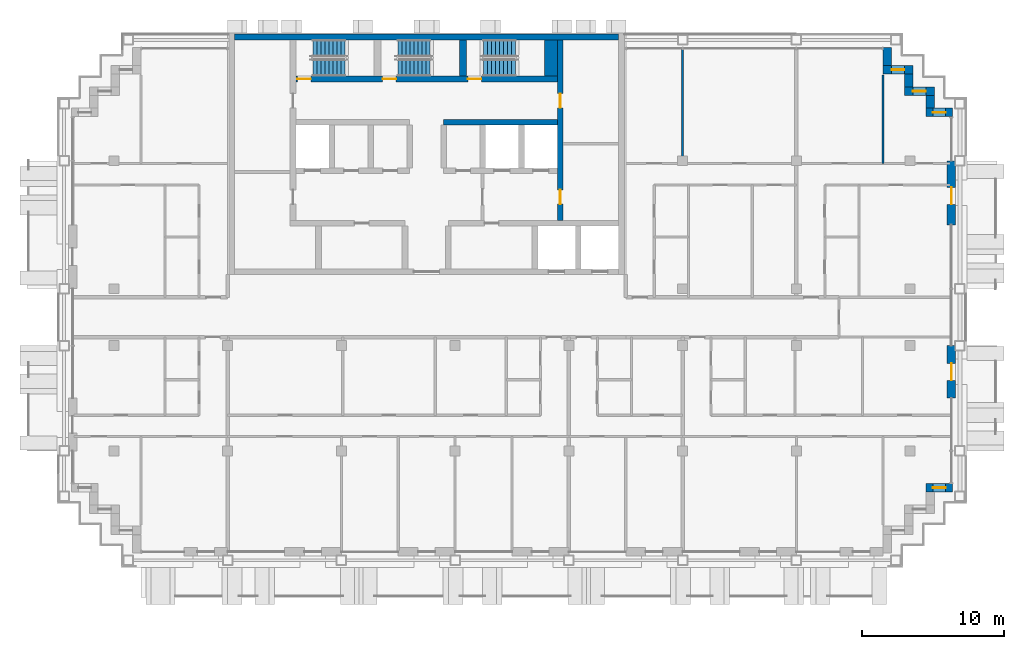
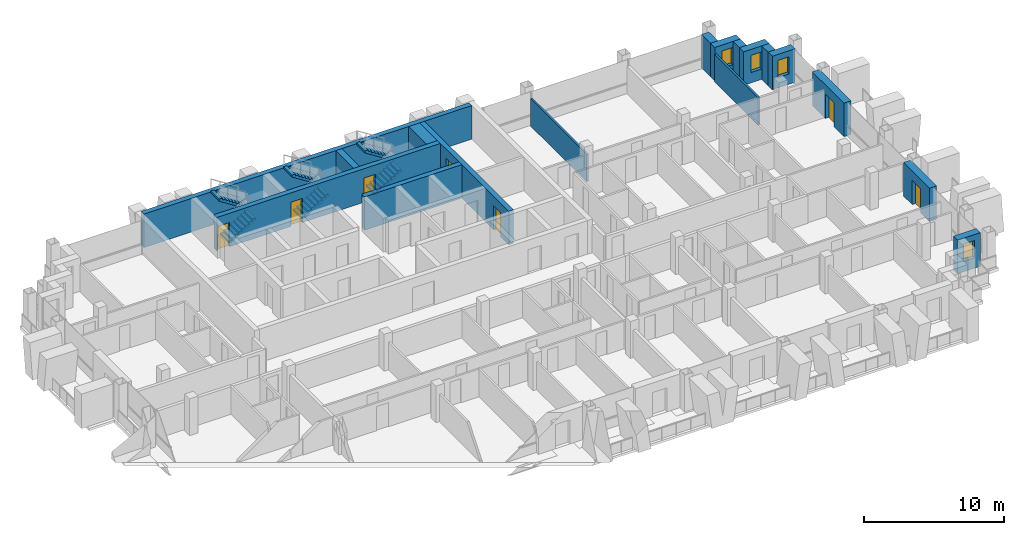
# One storey, part 12 of 16: 17 walls, 7 doors, 6 stair flights, 4 windows, 11 openings, 3 elements without a shape of their own.
"""IFC4 building model written with IfcOpenShell, lengths in metres."""

from ifc_helpers import new_model, si_unit, direction, frame, frame_2d, origin, place, context, subcontext, project, spatial, polyline, rectangle, outline, extrude, material, layer, layer_set, type_object, element, fill, aggregate, save


model = new_model("IFC4")

# Units and contexts
model_context = context("Model", 3, precision=1e-05, world=origin(), true_north=direction((0.0, 1.0)))
body_context = subcontext(model_context, "Body", "Model", "MODEL_VIEW")
ifc_project = project(units=[si_unit("LENGTHUNIT", "METRE"), si_unit("AREAUNIT", "SQUARE_METRE"), si_unit("VOLUMEUNIT", "CUBIC_METRE"), si_unit("PLANEANGLEUNIT", "RADIAN"), si_unit("MASSUNIT", "GRAM", prefix="KILO")], contexts=[model_context])

# Site, building, storey
site_placement = place(None, origin())
site = spatial("IfcSite", under=ifc_project, at=site_placement, CompositionType="ELEMENT")
building_placement = place(site_placement, origin())
building = spatial("IfcBuilding", under=site, at=building_placement, Name="Vidyagriha Tower", CompositionType="ELEMENT")
storey_placement = place(building_placement, frame((0.0, 0.0, 184.5)))
storey = spatial("IfcBuildingStorey", under=building, at=storey_placement, Name="L48", CompositionType="ELEMENT", Elevation=184.5)

# Wall, opening, window
ifc_material_1 = material(Name="Precast concrete C40/50 with brick facing", Category="concrete")
ifc_layer_1 = layer(ifc_material_1, 0.60009765625)
ifc_layer_set_1 = layer_set([ifc_layer_1], Name="Precast concrete C40/50 with brick facing")
wall_type_1 = type_object("IfcWallType", Name="Brick-faced precast wall 600", PredefinedType="STANDARD", material=ifc_layer_set_1)
wall_1_placement = place(storey_placement, frame((36.97998046875, 14.39990234375, 0.0), z_axis=(0.0, 0.0, 1.0), x_axis=(-1.0, 0.0, 0.0)))
wall_1 = element("IfcWall", 1, at=wall_1_placement, inside=storey, type_object=wall_type_1, Name="Stepped corner wall L48 R01", PredefinedType="STANDARD", context=body_context, shape_type="SweptSolid", body=[
    extrude(rectangle(XDim=1.8798828125, YDim=0.60009765625, at=frame_2d((0.93994140625, 0.0))), origin(), (0.0, 0.0, 1.0), 2.919921875),
])
opening_1_placement = place(wall_1_placement, frame((0.489990234375, 0.0, 0.89990234375)))
opening_1 = element("IfcOpeningElement", 2, at=opening_1_placement, cuts=wall_1, Name="Opening WN1", PredefinedType="OPENING", context=body_context, shape_type="SweptSolid", body=[
    extrude(rectangle(XDim=0.89990234375, YDim=1.5, at=frame_2d((0.449951171875, 0.75))), frame((0.0, 0.31005859375, 0.0), z_axis=(0.0, -1.0, 0.0), x_axis=(1.0, 0.0, 0.0)), (0.0, 0.0, 1.0), 0.6201171875),
])
ifc_material_2 = material(Name="Aluminium and glass window", Category="aluminium")
window_type = type_object("IfcWindowType", Name="Reveal window 900x1500", PartitioningType="NOTDEFINED", PredefinedType="WINDOW", material=ifc_material_2)
window_1_placement = place(opening_1_placement, origin())
window_1 = element("IfcWindow", 3, at=window_1_placement, inside=storey, type_object=window_type, Name="Reveal window L48 R01", OverallHeight=1.5, OverallWidth=0.89990234375, PartitioningType="SINGLE_PANEL", PredefinedType="WINDOW", context=body_context, shape_type="SweptSolid", body=[
    extrude(rectangle(XDim=0.89990234375, YDim=1.5, at=frame_2d((0.449951171875, 0.75))), frame((0.0, 0.030029296875, 0.0), z_axis=(0.0, -1.0, 0.0), x_axis=(1.0, 0.0, 0.0)), (0.0, 0.0, 1.0), 0.06005859375),
])
fill(opening_1, window_1)

# Wall
wall_2_placement = place(storey_placement, frame((35.39990234375, 14.699951171875, 0.0), z_axis=(0.0, 0.0, 1.0), x_axis=(0.0, 1.0, 0.0)))
element("IfcWall", 4, at=wall_2_placement, inside=storey, type_object=wall_type_1, Name="Stepped corner wall L48 R02", PredefinedType="STANDARD", context=body_context, shape_type="SweptSolid", body=[
    extrude(rectangle(XDim=0.900146484375, YDim=0.60009765625, at=frame_2d((0.4501953125, 0.0))), origin(), (0.0, 0.0, 1.0), 2.919921875),
])

# Wall, opening, window
wall_3_placement = place(storey_placement, frame((35.699951171875, 15.89990234375, 0.0), z_axis=(0.0, 0.0, 1.0), x_axis=(-1.0, 0.0, 0.0)))
wall_3 = element("IfcWall", 5, at=wall_3_placement, inside=storey, type_object=wall_type_1, Name="Stepped corner wall L48 R03", PredefinedType="STANDARD", context=body_context, shape_type="SweptSolid", body=[
    extrude(rectangle(XDim=2.099853515625, YDim=0.60009765625, at=frame_2d((1.0498046875, 0.0))), origin(), (0.0, 0.0, 1.0), 2.919921875),
])
opening_2_placement = place(wall_3_placement, frame((0.60009765625, 0.0, 0.89990234375)))
opening_2 = element("IfcOpeningElement", 6, at=opening_2_placement, cuts=wall_3, Name="Opening WN1", PredefinedType="OPENING", context=body_context, shape_type="SweptSolid", body=[
    extrude(rectangle(XDim=0.89990234375, YDim=1.5, at=frame_2d((0.449951171875, 0.75))), frame((0.0, 0.31005859375, 0.0), z_axis=(0.0, -1.0, 0.0), x_axis=(1.0, 0.0, 0.0)), (0.0, 0.0, 1.0), 0.6201171875),
])
window_2_placement = place(opening_2_placement, origin())
window_2 = element("IfcWindow", 7, at=window_2_placement, inside=storey, type_object=window_type, Name="Reveal window L48 R03", OverallHeight=1.5, OverallWidth=0.89990234375, PartitioningType="SINGLE_PANEL", PredefinedType="WINDOW", context=body_context, shape_type="SweptSolid", body=[
    extrude(rectangle(XDim=0.89990234375, YDim=1.5, at=frame_2d((0.449951171875, 0.75))), frame((0.0, 0.030029296875, 0.0), z_axis=(0.0, -1.0, 0.0), x_axis=(1.0, 0.0, 0.0)), (0.0, 0.0, 1.0), 0.06005859375),
])
fill(opening_2, window_2)

# Wall
wall_4_placement = place(storey_placement, frame((33.89990234375, 16.199951171875, 0.0), z_axis=(0.0, 0.0, 1.0), x_axis=(0.0, 1.0, 0.0)))
element("IfcWall", 8, at=wall_4_placement, inside=storey, type_object=wall_type_1, Name="Stepped corner wall L48 R04", PredefinedType="STANDARD", context=body_context, shape_type="SweptSolid", body=[
    extrude(rectangle(XDim=0.900146484375, YDim=0.60009765625, at=frame_2d((0.4501953125, 0.0))), origin(), (0.0, 0.0, 1.0), 2.919921875),
])

# Wall, opening, window
wall_5_placement = place(storey_placement, frame((34.199951171875, 17.39990234375, 0.0), z_axis=(0.0, 0.0, 1.0), x_axis=(-1.0, 0.0, 0.0)))
wall_5 = element("IfcWall", 9, at=wall_5_placement, inside=storey, type_object=wall_type_1, Name="Stepped corner wall L48 R05", PredefinedType="STANDARD", context=body_context, shape_type="SweptSolid", body=[
    extrude(rectangle(XDim=2.099853515625, YDim=0.60009765625, at=frame_2d((1.0498046875, 0.0))), origin(), (0.0, 0.0, 1.0), 2.919921875),
])
opening_3_placement = place(wall_5_placement, frame((0.60009765625, 0.0, 0.89990234375)))
opening_3 = element("IfcOpeningElement", 10, at=opening_3_placement, cuts=wall_5, Name="Opening WN1", PredefinedType="OPENING", context=body_context, shape_type="SweptSolid", body=[
    extrude(rectangle(XDim=0.89990234375, YDim=1.5, at=frame_2d((0.449951171875, 0.75))), frame((0.0, 0.31005859375, 0.0), z_axis=(0.0, -1.0, 0.0), x_axis=(1.0, 0.0, 0.0)), (0.0, 0.0, 1.0), 0.6201171875),
])
window_3_placement = place(opening_3_placement, origin())
window_3 = element("IfcWindow", 11, at=window_3_placement, inside=storey, type_object=window_type, Name="Reveal window L48 R05", OverallHeight=1.5, OverallWidth=0.89990234375, PartitioningType="SINGLE_PANEL", PredefinedType="WINDOW", context=body_context, shape_type="SweptSolid", body=[
    extrude(rectangle(XDim=0.89990234375, YDim=1.5, at=frame_2d((0.449951171875, 0.75))), frame((0.0, 0.030029296875, 0.0), z_axis=(0.0, -1.0, 0.0), x_axis=(1.0, 0.0, 0.0)), (0.0, 0.0, 1.0), 0.06005859375),
])
fill(opening_3, window_3)

# Wall
wall_6_placement = place(storey_placement, frame((32.39990234375, 17.699951171875, 0.0), z_axis=(0.0, 0.0, 1.0), x_axis=(0.0, 1.0, 0.0)))
element("IfcWall", 12, at=wall_6_placement, inside=storey, type_object=wall_type_1, Name="Stepped corner wall L48 R06", PredefinedType="STANDARD", context=body_context, shape_type="SweptSolid", body=[
    extrude(rectangle(XDim=1.280029296875, YDim=0.60009765625, at=frame_2d((0.64013671875, 0.0))), origin(), (0.0, 0.0, 1.0), 2.919921875),
])

# Wall, opening, window
wall_7_placement = place(storey_placement, frame((35.10009765625, -12.0, 0.0)))
wall_7 = element("IfcWall", 13, at=wall_7_placement, inside=storey, type_object=wall_type_1, Name="Stepped corner wall L48 R29", PredefinedType="STANDARD", context=body_context, shape_type="SweptSolid", body=[
    extrude(rectangle(XDim=1.8798828125, YDim=0.60009765625, at=frame_2d((0.93994140625, 0.0))), origin(), (0.0, 0.0, 1.0), 2.919921875),
])
opening_4_placement = place(wall_7_placement, frame((0.489990234375, 0.0, 0.89990234375)))
opening_4 = element("IfcOpeningElement", 14, at=opening_4_placement, cuts=wall_7, Name="Opening WN1", PredefinedType="OPENING", context=body_context, shape_type="SweptSolid", body=[
    extrude(rectangle(XDim=0.89990234375, YDim=1.5, at=frame_2d((0.449951171875, 0.75))), frame((0.0, 0.31005859375, 0.0), z_axis=(0.0, -1.0, 0.0), x_axis=(1.0, 0.0, 0.0)), (0.0, 0.0, 1.0), 0.6201171875),
])
window_4_placement = place(opening_4_placement, origin())
window_4 = element("IfcWindow", 15, at=window_4_placement, inside=storey, type_object=window_type, Name="Reveal window L48 R29", OverallHeight=1.5, OverallWidth=0.89990234375, PartitioningType="SINGLE_PANEL", PredefinedType="WINDOW", context=body_context, shape_type="SweptSolid", body=[
    extrude(rectangle(XDim=0.89990234375, YDim=1.5, at=frame_2d((0.449951171875, 0.75))), frame((0.0, 0.030029296875, 0.0), z_axis=(0.0, -1.0, 0.0), x_axis=(1.0, 0.0, 0.0)), (0.0, 0.0, 1.0), 0.06005859375),
])
fill(opening_4, window_4)

# Wall, opening, door
wall_8_placement = place(storey_placement, frame((36.89990234375, -5.699951171875, 0.0), z_axis=(0.0, 0.0, 1.0), x_axis=(0.0, 1.0, 0.0)))
wall_8 = element("IfcWall", 16, at=wall_8_placement, inside=storey, type_object=wall_type_1, Name="Brick door bay wall L48 R30.3", PredefinedType="STANDARD", context=body_context, shape_type="SweptSolid", body=[
    extrude(rectangle(XDim=3.699951171875, YDim=0.60009765625, at=frame_2d((1.85009765625, 0.0))), origin(), (0.0, 0.0, 1.0), 2.919921875),
])
opening_5_placement = place(wall_8_placement, frame((1.25, 0.0, 0.0)))
opening_5 = element("IfcOpeningElement", 17, at=opening_5_placement, cuts=wall_8, Name="Opening D48-76", PredefinedType="OPENING", context=body_context, shape_type="SweptSolid", body=[
    extrude(rectangle(XDim=1.199951171875, YDim=2.10009765625, at=frame_2d((0.60009765625, 1.050048828125))), frame((0.0, 0.31005859375, 0.0), z_axis=(0.0, -1.0, 0.0), x_axis=(1.0, 0.0, 0.0)), (0.0, 0.0, 1.0), 0.6201171875),
])
ifc_material_3 = material(Name="Aluminium framed glazed sliding door", Category="aluminium")
door_type_1 = type_object("IfcDoorType", Name="Balcony sliding door 1200x2100", OperationType="NOTDEFINED", PredefinedType="DOOR", material=ifc_material_3)
door_1_placement = place(opening_5_placement, origin())
door_1 = element("IfcDoor", 18, at=door_1_placement, inside=storey, type_object=door_type_1, Name="Door D48-76", OperationType="SLIDING_TO_LEFT", OverallHeight=2.10009765625, OverallWidth=1.199951171875, PredefinedType="DOOR", context=body_context, shape_type="SweptSolid", body=[
    extrude(rectangle(XDim=1.199951171875, YDim=2.10009765625, at=frame_2d((0.60009765625, 1.050048828125))), frame((0.0, 0.02490234375, 0.0), z_axis=(0.0, -1.0, 0.0), x_axis=(1.0, 0.0, 0.0)), (0.0, 0.0, 1.0), 0.050048828125),
])
fill(opening_5, door_1)

wall_9_placement = place(storey_placement, frame((36.89990234375, 6.5, 0.0), z_axis=(0.0, 0.0, 1.0), x_axis=(0.0, 1.0, 0.0)))
wall_9 = element("IfcWall", 19, at=wall_9_placement, inside=storey, type_object=wall_type_1, Name="Brick door bay wall L48 R30.6", PredefinedType="STANDARD", context=body_context, shape_type="SweptSolid", body=[
    extrude(rectangle(XDim=4.5, YDim=0.60009765625, at=frame_2d((2.25, 0.0))), origin(), (0.0, 0.0, 1.0), 2.919921875),
])
opening_6_placement = place(wall_9_placement, frame((1.425048828125, 0.0, 0.0)))
opening_6 = element("IfcOpeningElement", 20, at=opening_6_placement, cuts=wall_9, Name="Opening D48-77", PredefinedType="OPENING", context=body_context, shape_type="SweptSolid", body=[
    extrude(rectangle(XDim=1.199951171875, YDim=2.10009765625, at=frame_2d((0.60009765625, 1.050048828125))), frame((0.0, 0.31005859375, 0.0), z_axis=(0.0, -1.0, 0.0), x_axis=(1.0, 0.0, 0.0)), (0.0, 0.0, 1.0), 0.6201171875),
])
door_2_placement = place(opening_6_placement, origin())
door_2 = element("IfcDoor", 21, at=door_2_placement, inside=storey, type_object=door_type_1, Name="Door D48-77", OperationType="SLIDING_TO_LEFT", OverallHeight=2.10009765625, OverallWidth=1.199951171875, PredefinedType="DOOR", context=body_context, shape_type="SweptSolid", body=[
    extrude(rectangle(XDim=1.199951171875, YDim=2.10009765625, at=frame_2d((0.60009765625, 1.050048828125))), frame((0.0, 0.02490234375, 0.0), z_axis=(0.0, -1.0, 0.0), x_axis=(1.0, 0.0, 0.0)), (0.0, 0.0, 1.0), 0.050048828125),
])
fill(opening_6, door_2)

# Wall
ifc_material_4 = material(Name="Concrete C60/75", Category="concrete")
ifc_layer_2 = layer(ifc_material_4, 0.39990234375)
ifc_layer_set_2 = layer_set([ifc_layer_2], Name="Concrete C60/75")
wall_type_2 = type_object("IfcWallType", Name="Core shear wall 400 mm", PredefinedType="SHEAR", material=ifc_layer_set_2)
wall_10_placement = place(storey_placement, frame((-13.5, 19.699951171875, 0.0)))
element("IfcWall", 22, at=wall_10_placement, inside=storey, type_object=wall_type_2, Name="Core north wall", PredefinedType="SHEAR", context=body_context, shape_type="SweptSolid", body=[
    extrude(rectangle(XDim=27.0, YDim=0.39990234375, at=frame_2d((13.5, 0.0))), origin(), (0.0, 0.0, 1.0), 2.919921875),
])

# Wall, openings, doors
wall_11_placement = place(storey_placement, frame((9.39990234375, 6.800048828125, 0.0), z_axis=(0.0, 0.0, 1.0), x_axis=(0.0, 1.0, 0.0)))
wall_11 = element("IfcWall", 23, at=wall_11_placement, inside=storey, type_object=wall_type_2, Name="Core east spine wall", PredefinedType="SHEAR", context=body_context, shape_type="SweptSolid", body=[
    extrude(rectangle(XDim=12.699951171875, YDim=0.39990234375, at=frame_2d((6.35009765625, 0.0))), origin(), (0.0, 0.0, 1.0), 2.919921875),
])
opening_7_placement = place(wall_11_placement, frame((1.14990234375, 0.0, 0.0)))
opening_7 = element("IfcOpeningElement", 24, at=opening_7_placement, cuts=wall_11, Name="Opening D48-13", PredefinedType="OPENING", context=body_context, shape_type="SweptSolid", body=[
    extrude(rectangle(XDim=1.0, YDim=2.10009765625, at=frame_2d((0.5, 1.050048828125))), frame((0.0, 0.2099609375, 0.0), z_axis=(0.0, -1.0, 0.0), x_axis=(1.0, 0.0, 0.0)), (0.0, 0.0, 1.0), 0.419921875),
])
opening_8_placement = place(wall_11_placement, frame((7.925048828125, 0.0, 0.0)))
opening_8 = element("IfcOpeningElement", 25, at=opening_8_placement, cuts=wall_11, Name="Opening D48-14", PredefinedType="OPENING", context=body_context, shape_type="SweptSolid", body=[
    extrude(rectangle(XDim=1.0, YDim=2.10009765625, at=frame_2d((0.5, 1.050048828125))), frame((0.0, 0.2099609375, 0.0), z_axis=(0.0, -1.0, 0.0), x_axis=(1.0, 0.0, 0.0)), (0.0, 0.0, 1.0), 0.419921875),
])
ifc_material_5 = material(Name="Hollow metal door leaf")
door_type_2 = type_object("IfcDoorType", Name="Core room door 1000 x 2100 mm EI 60", OperationType="NOTDEFINED", PredefinedType="DOOR", material=ifc_material_5)
door_3_placement = place(opening_7_placement, origin())
door_3 = element("IfcDoor", 26, at=door_3_placement, inside=storey, type_object=door_type_2, Name="Door Switchgear Room 48.E1", OperationType="SINGLE_SWING_RIGHT", OverallHeight=2.10009765625, OverallWidth=1.0, PredefinedType="DOOR", context=body_context, shape_type="SweptSolid", body=[
    extrude(rectangle(XDim=1.0, YDim=2.10009765625, at=frame_2d((0.5, 1.050048828125))), frame((0.0, 0.02490234375, 0.0), z_axis=(0.0, -1.0, 0.0), x_axis=(1.0, 0.0, 0.0)), (0.0, 0.0, 1.0), 0.050048828125),
])
fill(opening_7, door_3)
door_4_placement = place(opening_8_placement, origin())
door_4 = element("IfcDoor", 27, at=door_4_placement, inside=storey, type_object=door_type_2, Name="Door Communications Room 48.E2", OperationType="SINGLE_SWING_LEFT", OverallHeight=2.10009765625, OverallWidth=1.0, PredefinedType="DOOR", context=body_context, shape_type="SweptSolid", body=[
    extrude(rectangle(XDim=1.0, YDim=2.10009765625, at=frame_2d((0.5, 1.050048828125))), frame((0.0, 0.02490234375, 0.0), z_axis=(0.0, -1.0, 0.0), x_axis=(1.0, 0.0, 0.0)), (0.0, 0.0, 1.0), 0.050048828125),
])
fill(opening_8, door_4)

# Wall
wall_12_placement = place(storey_placement, frame((1.199951171875, 13.699951171875, 0.0)))
element("IfcWall", 28, at=wall_12_placement, inside=storey, type_object=wall_type_2, Name="Core row N rear wall", PredefinedType="SHEAR", context=body_context, shape_type="SweptSolid", body=[
    extrude(rectangle(XDim=8.0, YDim=0.39990234375, at=frame_2d((4.0, 0.0))), origin(), (0.0, 0.0, 1.0), 2.919921875),
])

# Wall, openings, doors
wall_13_placement = place(storey_placement, frame((-9.199951171875, 16.75, 0.0)))
wall_13 = element("IfcWall", 29, at=wall_13_placement, inside=storey, type_object=wall_type_2, Name="Stair front wall", PredefinedType="SHEAR", context=body_context, shape_type="SweptSolid", body=[
    extrude(rectangle(XDim=18.39990234375, YDim=0.39990234375, at=frame_2d((9.199951171875, 0.0))), origin(), (0.0, 0.0, 1.0), 2.919921875),
])
opening_9_placement = place(wall_13_placement, frame((0.10009765625, 0.0, 0.0)))
opening_9 = element("IfcOpeningElement", 30, at=opening_9_placement, cuts=wall_13, Name="Opening D48-08", PredefinedType="OPENING", context=body_context, shape_type="SweptSolid", body=[
    extrude(rectangle(XDim=0.949951171875, YDim=2.10009765625, at=frame_2d((0.47509765625, 1.050048828125))), frame((0.0, 0.2099609375, 0.0), z_axis=(0.0, -1.0, 0.0), x_axis=(1.0, 0.0, 0.0)), (0.0, 0.0, 1.0), 0.419921875),
])
opening_10_placement = place(wall_13_placement, frame((6.10009765625, 0.0, 0.0)))
opening_10 = element("IfcOpeningElement", 31, at=opening_10_placement, cuts=wall_13, Name="Opening D48-09", PredefinedType="OPENING", context=body_context, shape_type="SweptSolid", body=[
    extrude(rectangle(XDim=0.949951171875, YDim=2.10009765625, at=frame_2d((0.47509765625, 1.050048828125))), frame((0.0, 0.2099609375, 0.0), z_axis=(0.0, -1.0, 0.0), x_axis=(1.0, 0.0, 0.0)), (0.0, 0.0, 1.0), 0.419921875),
])
opening_11_placement = place(wall_13_placement, frame((12.10009765625, 0.0, 0.0)))
opening_11 = element("IfcOpeningElement", 32, at=opening_11_placement, cuts=wall_13, Name="Opening D48-10", PredefinedType="OPENING", context=body_context, shape_type="SweptSolid", body=[
    extrude(rectangle(XDim=0.949951171875, YDim=2.10009765625, at=frame_2d((0.47509765625, 1.050048828125))), frame((0.0, 0.2099609375, 0.0), z_axis=(0.0, -1.0, 0.0), x_axis=(1.0, 0.0, 0.0)), (0.0, 0.0, 1.0), 0.419921875),
])
ifc_material_6 = material(Name="Hollow metal door leaf")
door_type_3 = type_object("IfcDoorType", Name="Exit stair door 950 x 2100 mm EI 90", OperationType="NOTDEFINED", PredefinedType="DOOR", material=ifc_material_6)
door_5_placement = place(opening_9_placement, origin())
door_5 = element("IfcDoor", 33, at=door_5_placement, inside=storey, type_object=door_type_3, Name="Stair door ST1 L48", OperationType="SINGLE_SWING_LEFT", OverallHeight=2.10009765625, OverallWidth=0.949951171875, PredefinedType="DOOR", context=body_context, shape_type="SweptSolid", body=[
    extrude(rectangle(XDim=0.949951171875, YDim=2.10009765625, at=frame_2d((0.47509765625, 1.050048828125))), frame((0.0, 0.02490234375, 0.0), z_axis=(0.0, -1.0, 0.0), x_axis=(1.0, 0.0, 0.0)), (0.0, 0.0, 1.0), 0.050048828125),
])
fill(opening_9, door_5)
door_6_placement = place(opening_10_placement, origin())
door_6 = element("IfcDoor", 34, at=door_6_placement, inside=storey, type_object=door_type_3, Name="Stair door ST2 L48", OperationType="SINGLE_SWING_LEFT", OverallHeight=2.10009765625, OverallWidth=0.949951171875, PredefinedType="DOOR", context=body_context, shape_type="SweptSolid", body=[
    extrude(rectangle(XDim=0.949951171875, YDim=2.10009765625, at=frame_2d((0.47509765625, 1.050048828125))), frame((0.0, 0.02490234375, 0.0), z_axis=(0.0, -1.0, 0.0), x_axis=(1.0, 0.0, 0.0)), (0.0, 0.0, 1.0), 0.050048828125),
])
fill(opening_10, door_6)
door_7_placement = place(opening_11_placement, origin())
door_7 = element("IfcDoor", 35, at=door_7_placement, inside=storey, type_object=door_type_3, Name="Stair door ST3 L48", OperationType="SINGLE_SWING_LEFT", OverallHeight=2.10009765625, OverallWidth=0.949951171875, PredefinedType="DOOR", context=body_context, shape_type="SweptSolid", body=[
    extrude(rectangle(XDim=0.949951171875, YDim=2.10009765625, at=frame_2d((0.47509765625, 1.050048828125))), frame((0.0, 0.02490234375, 0.0), z_axis=(0.0, -1.0, 0.0), x_axis=(1.0, 0.0, 0.0)), (0.0, 0.0, 1.0), 0.050048828125),
])
fill(opening_11, door_7)

# Walls
ifc_material_7 = material(Name="Concrete C60/75", Category="concrete")
ifc_layer_3 = layer(ifc_material_7, 0.5)
ifc_layer_set_3 = layer_set([ifc_layer_3], Name="Concrete C60/75")
wall_type_3 = type_object("IfcWallType", Name="Core shear wall 500 mm", PredefinedType="SHEAR", material=ifc_layer_set_3)
wall_14_placement = place(storey_placement, frame((2.550048828125, 16.949951171875, 0.0), z_axis=(0.0, 0.0, 1.0), x_axis=(0.0, 1.0, 0.0)))
element("IfcWall", 36, at=wall_14_placement, inside=storey, type_object=wall_type_3, Name="Stair partition wall 2", PredefinedType="SHEAR", context=body_context, shape_type="SweptSolid", body=[
    extrude(rectangle(XDim=2.550048828125, YDim=0.5, at=frame_2d((1.27490234375, 0.0))), origin(), (0.0, 0.0, 1.0), 2.919921875),
])
ifc_material_8 = material(Name="Concrete C60/75", Category="concrete")
ifc_layer_4 = layer(ifc_material_8, 0.89990234375)
ifc_layer_set_4 = layer_set([ifc_layer_4], Name="Concrete C60/75")
wall_type_4 = type_object("IfcWallType", Name="Core shear wall 900 mm", PredefinedType="SHEAR", material=ifc_layer_set_4)
wall_15_placement = place(storey_placement, frame((8.75, 16.949951171875, 0.0), z_axis=(0.0, 0.0, 1.0), x_axis=(0.0, 1.0, 0.0)))
element("IfcWall", 37, at=wall_15_placement, inside=storey, type_object=wall_type_4, Name="Stair end wall", PredefinedType="SHEAR", context=body_context, shape_type="SweptSolid", body=[
    extrude(rectangle(XDim=2.550048828125, YDim=0.89990234375, at=frame_2d((1.27490234375, 0.0))), origin(), (0.0, 0.0, 1.0), 2.919921875),
])
ifc_material_9 = material(Name="Gypsum board partition")
ifc_layer_5 = layer(ifc_material_9, 0.14990234375)
ifc_layer_set_5 = layer_set([ifc_layer_5], Name="Gypsum board partition")
wall_type_5 = type_object("IfcWallType", Name="Gypsum board partition 150", PredefinedType="PARTITIONING", material=ifc_layer_set_5)
wall_16_placement = place(storey_placement, frame((18.0, 18.821044921875, 0.0), z_axis=(0.0, 0.0, 1.0), x_axis=(0.0, -1.0, 0.0)))
element("IfcWall", 38, at=wall_16_placement, inside=storey, type_object=wall_type_5, Name="Wall all-L48-w096", PredefinedType="PARTITIONING", context=body_context, shape_type="SweptSolid", body=[
    extrude(rectangle(XDim=8.02099609375, YDim=0.14990234375, at=frame_2d((4.010498046875, 0.0))), origin(), (0.0, 0.0, 1.0), 2.39990234375),
])
wall_17_placement = place(storey_placement, frame((32.10009765625, 17.02001953125, 0.0), z_axis=(0.0, 0.0, 1.0), x_axis=(0.0, -1.0, 0.0)))
element("IfcWall", 39, at=wall_17_placement, inside=storey, type_object=wall_type_5, Name="Wall all-L48-w108", PredefinedType="PARTITIONING", context=body_context, shape_type="SweptSolid", body=[
    extrude(rectangle(XDim=6.219970703125, YDim=0.14990234375, at=frame_2d((3.10986328125, 0.0))), origin(), (0.0, 0.0, 1.0), 2.39990234375),
])

# Stair, stair flights
ifc_material_10 = material(Name="Concrete C40/50", Category="concrete")
stair_type = type_object("IfcStairType", Name="Exit stair, half-turn, precast flights", PredefinedType="HALF_TURN_STAIR", material=ifc_material_10)
stair_1_placement = place(storey_placement, origin())
stair_1 = element("IfcStair", 40, at=stair_1_placement, inside=storey, type_object=stair_type, Name="L48 Exit Stair ST1", PredefinedType="HALF_TURN_STAIR")
ifc_material_11 = material(Name="Precast concrete C40/50", Category="concrete")
stair_flight_type = type_object("IfcStairFlightType", Name="Exit stair flight 1200 mm, precast", PredefinedType="STRAIGHT", material=ifc_material_11)
stair_flight_1_placement = place(storey_placement, frame((-8.0, 17.550048828125, 0.0)))
stair_flight_1 = element("IfcStairFlight", 41, at=stair_flight_1_placement, type_object=stair_flight_type, Name="ST1 flight 1", NumberOfRisers=9, NumberOfTreads=8, PredefinedType="STRAIGHT", RiserHeight=0.177777778, TreadLength=0.28, context=body_context, shape_type="SweptSolid", body=[
    extrude(outline(polyline([(0.0, 0.0), (0.0, 0.177734375), (0.280029296875, 0.177734375), (0.280029296875, 0.35546875), (0.56005859375, 0.35546875), (0.56005859375, 0.533447265625), (0.840087890625, 0.533447265625), (0.840087890625, 0.711181640625), (1.1201171875, 0.711181640625), (1.1201171875, 0.888916015625), (1.39990234375, 0.888916015625), (1.39990234375, 1.066650390625), (1.679931640625, 1.066650390625), (1.679931640625, 1.244384765625), (1.9599609375, 1.244384765625), (1.9599609375, 1.422119140625), (2.239990234375, 1.422119140625), (2.239990234375, 1.60009765625), (2.239990234375, 1.24462890625), (0.27978515625, 0.0), (0.0, 0.0)])), frame((0.0, 0.60009765625, 0.0), z_axis=(0.0, -1.0, 0.0), x_axis=(1.0, 0.0, 0.0)), (0.0, 0.0, 1.0), 1.199951171875),
])
stair_flight_2_placement = place(storey_placement, frame((-5.760009765625, 18.89990234375, 1.60009765625), z_axis=(0.0, 0.0, 1.0), x_axis=(-1.0, 0.0, 0.0)))
stair_flight_2 = element("IfcStairFlight", 42, at=stair_flight_2_placement, type_object=stair_flight_type, Name="ST1 flight 2", NumberOfRisers=9, NumberOfTreads=8, PredefinedType="STRAIGHT", RiserHeight=0.177777778, TreadLength=0.28, context=body_context, shape_type="SweptSolid", body=[
    extrude(outline(polyline([(0.0, 0.0), (0.0, 0.177734375), (0.280029296875, 0.177734375), (0.280029296875, 0.35546875), (0.56005859375, 0.35546875), (0.56005859375, 0.533447265625), (0.840087890625, 0.533447265625), (0.840087890625, 0.711181640625), (1.1201171875, 0.711181640625), (1.1201171875, 0.888916015625), (1.39990234375, 0.888916015625), (1.39990234375, 1.066650390625), (1.679931640625, 1.066650390625), (1.679931640625, 1.244384765625), (1.9599609375, 1.244384765625), (1.9599609375, 1.422119140625), (2.239990234375, 1.422119140625), (2.239990234375, 1.60009765625), (2.239990234375, 1.24462890625), (0.27978515625, 0.0), (0.0, 0.0)])), frame((0.0, 0.60009765625, 0.0), z_axis=(0.0, -1.0, 0.0), x_axis=(1.0, 0.0, 0.0)), (0.0, 0.0, 1.0), 1.199951171875),
])
aggregate(stair_1, [stair_flight_1, stair_flight_2])

stair_2_placement = place(storey_placement, origin())
stair_2 = element("IfcStair", 43, at=stair_2_placement, inside=storey, type_object=stair_type, Name="L48 Exit Stair ST2", PredefinedType="HALF_TURN_STAIR")
stair_flight_3_placement = place(storey_placement, frame((-2.0, 17.550048828125, 0.0)))
stair_flight_3 = element("IfcStairFlight", 44, at=stair_flight_3_placement, type_object=stair_flight_type, Name="ST2 flight 1", NumberOfRisers=9, NumberOfTreads=8, PredefinedType="STRAIGHT", RiserHeight=0.177777778, TreadLength=0.28, context=body_context, shape_type="SweptSolid", body=[
    extrude(outline(polyline([(0.0, 0.0), (0.0, 0.177734375), (0.280029296875, 0.177734375), (0.280029296875, 0.35546875), (0.56005859375, 0.35546875), (0.56005859375, 0.533447265625), (0.840087890625, 0.533447265625), (0.840087890625, 0.711181640625), (1.1201171875, 0.711181640625), (1.1201171875, 0.888916015625), (1.39990234375, 0.888916015625), (1.39990234375, 1.066650390625), (1.679931640625, 1.066650390625), (1.679931640625, 1.244384765625), (1.9599609375, 1.244384765625), (1.9599609375, 1.422119140625), (2.239990234375, 1.422119140625), (2.239990234375, 1.60009765625), (2.239990234375, 1.24462890625), (0.27978515625, 0.0), (0.0, 0.0)])), frame((0.0, 0.60009765625, 0.0), z_axis=(0.0, -1.0, 0.0), x_axis=(1.0, 0.0, 0.0)), (0.0, 0.0, 1.0), 1.199951171875),
])
stair_flight_4_placement = place(storey_placement, frame((0.239990234375, 18.89990234375, 1.60009765625), z_axis=(0.0, 0.0, 1.0), x_axis=(-1.0, 0.0, 0.0)))
stair_flight_4 = element("IfcStairFlight", 45, at=stair_flight_4_placement, type_object=stair_flight_type, Name="ST2 flight 2", NumberOfRisers=9, NumberOfTreads=8, PredefinedType="STRAIGHT", RiserHeight=0.177777778, TreadLength=0.28, context=body_context, shape_type="SweptSolid", body=[
    extrude(outline(polyline([(0.0, 0.0), (0.0, 0.177734375), (0.280029296875, 0.177734375), (0.280029296875, 0.35546875), (0.56005859375, 0.35546875), (0.56005859375, 0.533447265625), (0.840087890625, 0.533447265625), (0.840087890625, 0.711181640625), (1.1201171875, 0.711181640625), (1.1201171875, 0.888916015625), (1.39990234375, 0.888916015625), (1.39990234375, 1.066650390625), (1.679931640625, 1.066650390625), (1.679931640625, 1.244384765625), (1.9599609375, 1.244384765625), (1.9599609375, 1.422119140625), (2.239990234375, 1.422119140625), (2.239990234375, 1.60009765625), (2.239990234375, 1.24462890625), (0.27978515625, 0.0), (0.0, 0.0)])), frame((0.0, 0.60009765625, 0.0), z_axis=(0.0, -1.0, 0.0), x_axis=(1.0, 0.0, 0.0)), (0.0, 0.0, 1.0), 1.199951171875),
])
aggregate(stair_2, [stair_flight_3, stair_flight_4])

stair_3_placement = place(storey_placement, origin())
stair_3 = element("IfcStair", 46, at=stair_3_placement, inside=storey, type_object=stair_type, Name="L48 Exit Stair ST3", PredefinedType="HALF_TURN_STAIR")
stair_flight_5_placement = place(storey_placement, frame((4.0, 17.550048828125, 0.0)))
stair_flight_5 = element("IfcStairFlight", 47, at=stair_flight_5_placement, type_object=stair_flight_type, Name="ST3 flight 1", NumberOfRisers=9, NumberOfTreads=8, PredefinedType="STRAIGHT", RiserHeight=0.177777778, TreadLength=0.28, context=body_context, shape_type="SweptSolid", body=[
    extrude(outline(polyline([(0.0, 0.0), (0.0, 0.177734375), (0.280029296875, 0.177734375), (0.280029296875, 0.35546875), (0.56005859375, 0.35546875), (0.56005859375, 0.533447265625), (0.840087890625, 0.533447265625), (0.840087890625, 0.711181640625), (1.1201171875, 0.711181640625), (1.1201171875, 0.888916015625), (1.39990234375, 0.888916015625), (1.39990234375, 1.066650390625), (1.679931640625, 1.066650390625), (1.679931640625, 1.244384765625), (1.9599609375, 1.244384765625), (1.9599609375, 1.422119140625), (2.239990234375, 1.422119140625), (2.239990234375, 1.60009765625), (2.239990234375, 1.24462890625), (0.27978515625, 0.0), (0.0, 0.0)])), frame((0.0, 0.60009765625, 0.0), z_axis=(0.0, -1.0, 0.0), x_axis=(1.0, 0.0, 0.0)), (0.0, 0.0, 1.0), 1.199951171875),
])
stair_flight_6_placement = place(storey_placement, frame((6.239990234375, 18.89990234375, 1.60009765625), z_axis=(0.0, 0.0, 1.0), x_axis=(-1.0, 0.0, 0.0)))
stair_flight_6 = element("IfcStairFlight", 48, at=stair_flight_6_placement, type_object=stair_flight_type, Name="ST3 flight 2", NumberOfRisers=9, NumberOfTreads=8, PredefinedType="STRAIGHT", RiserHeight=0.177777778, TreadLength=0.28, context=body_context, shape_type="SweptSolid", body=[
    extrude(outline(polyline([(0.0, 0.0), (0.0, 0.177734375), (0.280029296875, 0.177734375), (0.280029296875, 0.35546875), (0.56005859375, 0.35546875), (0.56005859375, 0.533447265625), (0.840087890625, 0.533447265625), (0.840087890625, 0.711181640625), (1.1201171875, 0.711181640625), (1.1201171875, 0.888916015625), (1.39990234375, 0.888916015625), (1.39990234375, 1.066650390625), (1.679931640625, 1.066650390625), (1.679931640625, 1.244384765625), (1.9599609375, 1.244384765625), (1.9599609375, 1.422119140625), (2.239990234375, 1.422119140625), (2.239990234375, 1.60009765625), (2.239990234375, 1.24462890625), (0.27978515625, 0.0), (0.0, 0.0)])), frame((0.0, 0.60009765625, 0.0), z_axis=(0.0, -1.0, 0.0), x_axis=(1.0, 0.0, 0.0)), (0.0, 0.0, 1.0), 1.199951171875),
])
aggregate(stair_3, [stair_flight_5, stair_flight_6])

save(model, "model.ifc")
